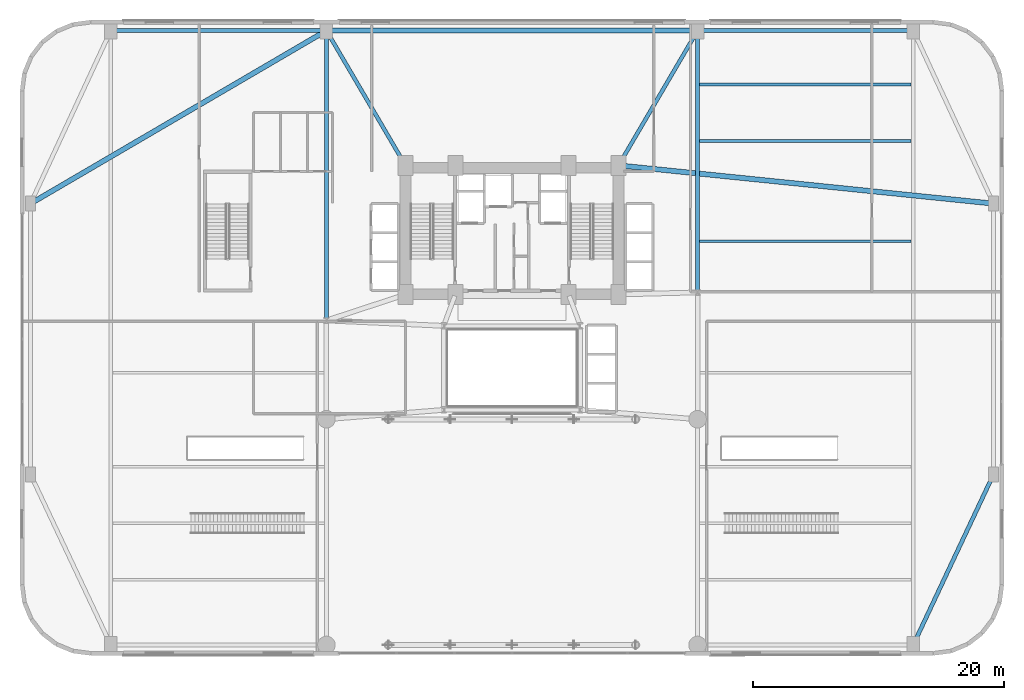
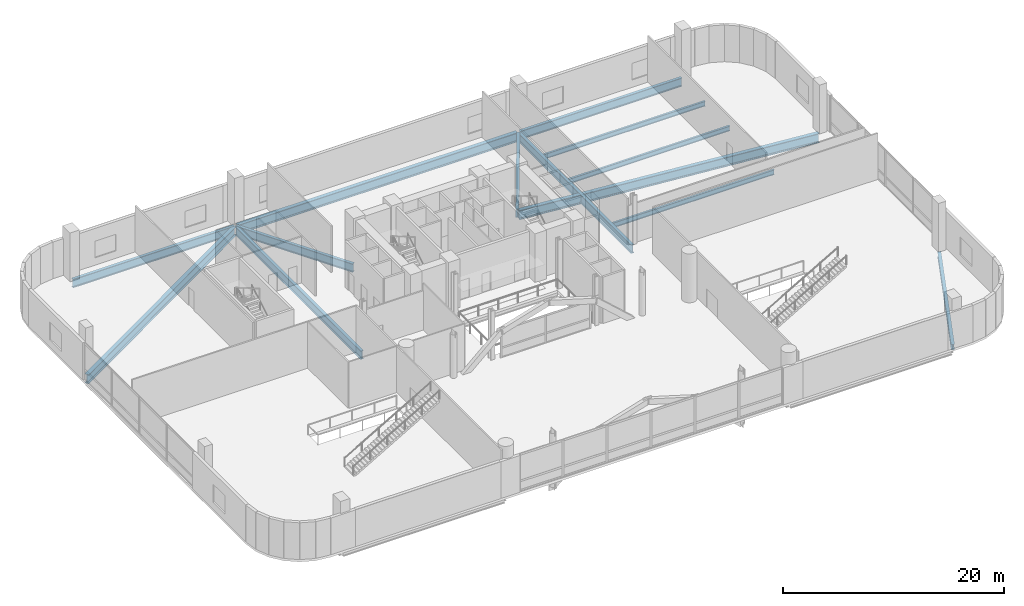
# One storey, part 18 of 36: 13 beams.
"""IFC4 building model written with IfcOpenShell, lengths in metres."""

from ifc_helpers import new_model, si_unit, direction, frame, origin, origin_2d, place, context, subcontext, project, spatial, i_section, extrude, material, material_profile, profile_set, type_object, element, save


model = new_model("IFC4")

# Units and contexts
model_context = context("Model", 3, precision=1e-05, world=origin(), true_north=direction((0.0, 1.0)))
body_context = subcontext(model_context, "Body", "Model", "MODEL_VIEW")
ifc_project = project(units=[si_unit("LENGTHUNIT", "METRE"), si_unit("AREAUNIT", "SQUARE_METRE"), si_unit("VOLUMEUNIT", "CUBIC_METRE"), si_unit("PLANEANGLEUNIT", "RADIAN"), si_unit("MASSUNIT", "GRAM", prefix="KILO")], contexts=[model_context])

# Site, building, storey
site_placement = place(None, origin())
site = spatial("IfcSite", under=ifc_project, at=site_placement, CompositionType="ELEMENT")
building_placement = place(site_placement, origin())
building = spatial("IfcBuilding", under=site, at=building_placement, Name="Varnelok Gate Tower", CompositionType="ELEMENT")
storey_placement = place(building_placement, frame((0.0, 0.0, 10.800048828125)))
storey = spatial("IfcBuildingStorey", under=building, at=storey_placement, Name="L02", CompositionType="ELEMENT", Elevation=10.800048828125)

# Beams
ifc_material = material(Name="Structural Steel ASTM A992 Grade 50", Category="steel")
ifc_material_profile_1 = material_profile(ifc_material, i_section(OverallWidth=0.2119140625, OverallDepth=0.5439453125, WebThickness=0.01318359375, FlangeThickness=0.021240234375, FilletRadius=0.01611328125, at=origin_2d()), Name="W21X83")
ifc_profile_set_1 = profile_set([ifc_material_profile_1], Name="Structural Steel ASTM A992 Grade 50")
beam_type_1 = type_object("IfcBeamType", Name="BM-JST-W21X83", PredefinedType="JOIST", material=ifc_profile_set_1)
for number, where, z_axis, x_axis, name in (
    (1, (54.159912109375, 33.0, -0.552001953125), (1.0, 0.0, 0.0), (0.0, 1.0, 0.0), "L02 Podium Floor Joist"),
    (2, (54.159912109375, 41.0, -0.552001953125), (1.0, 0.0, 0.0), (0.0, 1.0, 0.0), "L02 Podium Floor Joist"),
    (3, (54.159912109375, 45.5, -0.552001953125), (1.0, 0.0, 0.0), (0.0, 1.0, 0.0), "L02 Podium Floor Joist"),
):
    element("IfcBeam", number, at=place(storey_placement, frame(where, z_axis=z_axis, x_axis=x_axis)), inside=storey, type_object=beam_type_1, Name=name, PredefinedType="JOIST", context=body_context, shape_type="SweptSolid", body=[
        extrude(i_section(OverallWidth=0.2119140625, OverallDepth=0.5439453125, WebThickness=0.01318359375, FlangeThickness=0.021240234375, FilletRadius=0.01611328125, at=origin_2d()), origin(), (0.0, 0.0, 1.0), 16.880126953125),
    ])
ifc_material_profile_2 = material_profile(ifc_material, i_section(OverallWidth=0.30810546875, OverallDepth=0.943115234375, WebThickness=0.022216796875, FlangeThickness=0.039794921875, FilletRadius=0.02587890625, at=origin_2d()), Name="W36X232")
ifc_profile_set_2 = profile_set([ifc_material_profile_2], Name="Structural Steel ASTM A992 Grade 50")
beam_type_2 = type_object("IfcBeamType", Name="BM-PRI-W36X232", PredefinedType="BEAM", material=ifc_profile_set_2)
beam_1_placement = place(storey_placement, frame((7.340087890625, 49.800048828125, -0.75146484375), z_axis=(1.0, 0.0, 0.0), x_axis=(0.0, 1.0, 0.0)))
element("IfcBeam", 4, at=beam_1_placement, inside=storey, type_object=beam_type_2, Name="L02 Podium Primary Girder 3", PredefinedType="BEAM", context=body_context, shape_type="SweptSolid", body=[
    extrude(i_section(OverallWidth=0.30810546875, OverallDepth=0.943115234375, WebThickness=0.022216796875, FlangeThickness=0.039794921875, FilletRadius=0.02587890625, at=origin_2d()), origin(), (0.0, 0.0, 1.0), 16.919921875),
])
beam_2_placement = place(storey_placement, frame((54.139892578125, 49.800048828125, -0.75146484375), z_axis=(1.0, 0.0, 0.0), x_axis=(0.0, 1.0, 0.0)))
element("IfcBeam", 5, at=beam_2_placement, inside=storey, type_object=beam_type_2, Name="L02 Podium Primary Girder 5", PredefinedType="BEAM", context=body_context, shape_type="SweptSolid", body=[
    extrude(i_section(OverallWidth=0.30810546875, OverallDepth=0.943115234375, WebThickness=0.022216796875, FlangeThickness=0.039794921875, FilletRadius=0.02587890625, at=origin_2d()), origin(), (0.0, 0.0, 1.0), 16.920166015625),
])
for number, where, z_axis, x_axis, name in (
    (6, (24.470703125, 49.67919921875, -0.75146484375), (0.505622271853, -0.862754958378, 0.0), (0.862754958378, 0.505622271853, 0.0), "L02 Podium Primary Girder 20"),
    (7, (53.92919921875, 49.67919921875, -0.75146484375), (-0.505622271853, -0.862754958378, 0.0), (0.862754958378, -0.505622271853, 0.0), "L02 Podium Primary Girder 21"),
):
    element("IfcBeam", number, at=place(storey_placement, frame(where, z_axis=z_axis, x_axis=x_axis)), inside=storey, type_object=beam_type_2, Name=name, PredefinedType="BEAM", context=body_context, shape_type="SweptSolid", body=[
        extrude(i_section(OverallWidth=0.30810546875, OverallDepth=0.943115234375, WebThickness=0.022216796875, FlangeThickness=0.039794921875, FilletRadius=0.02587890625, at=origin_2d()), origin(), (0.0, 0.0, 1.0), 12.179931640625),
    ])
beam_3_placement = place(storey_placement, frame((24.39990234375, 26.820068359375, -0.75146484375), z_axis=(0.0, 1.0, 0.0), x_axis=(-1.0, 0.0, 0.0)))
element("IfcBeam", 8, at=beam_3_placement, inside=storey, type_object=beam_type_2, Name="L02 Podium Primary Girder 22", PredefinedType="BEAM", context=body_context, shape_type="SweptSolid", body=[
    extrude(i_section(OverallWidth=0.30810546875, OverallDepth=0.943115234375, WebThickness=0.022216796875, FlangeThickness=0.039794921875, FilletRadius=0.02587890625, at=origin_2d()), origin(), (0.0, 0.0, 1.0), 22.83984375),
])
beam_4_placement = place(storey_placement, frame((54.0, 29.06005859375, -0.75146484375), z_axis=(0.0, 1.0, 0.0), x_axis=(-1.0, 0.0, 0.0)))
element("IfcBeam", 9, at=beam_4_placement, inside=storey, type_object=beam_type_2, Name="L02 Podium Primary Girder 23", PredefinedType="BEAM", context=body_context, shape_type="SweptSolid", body=[
    extrude(i_section(OverallWidth=0.30810546875, OverallDepth=0.943115234375, WebThickness=0.022216796875, FlangeThickness=0.039794921875, FilletRadius=0.02587890625, at=origin_2d()), origin(), (0.0, 0.0, 1.0), 20.599853515625),
])
ifc_material_profile_3 = material_profile(ifc_material, i_section(OverallWidth=0.323974609375, OverallDepth=0.611083984375, WebThickness=0.0126953125, FlangeThickness=0.01904296875, FilletRadius=0.01806640625, at=origin_2d()), Name="W24X104")
ifc_profile_set_3 = profile_set([ifc_material_profile_3], Name="Structural Steel ASTM A992 Grade 50")
beam_type_3 = type_object("IfcBeamType", Name="BM-SPN-W24X104", PredefinedType="SPANDREL", material=ifc_profile_set_3)
beam_5_placement = place(storey_placement, frame((71.259521484375, 0.9267578125, -0.58544921875), z_axis=(0.425801818887, 0.90481645157, 0.0), x_axis=(-0.90481645157, 0.425801818887, 0.0)))
element("IfcBeam", 10, at=beam_5_placement, inside=storey, type_object=beam_type_3, Name="L02 Podium Primary Girder 10", PredefinedType="SPANDREL", context=body_context, shape_type="SweptSolid", body=[
    extrude(i_section(OverallWidth=0.323974609375, OverallDepth=0.611083984375, WebThickness=0.0126953125, FlangeThickness=0.01904296875, FilletRadius=0.01806640625, at=origin_2d()), origin(), (0.0, 0.0, 1.0), 14.75048828125),
])
ifc_material_profile_4 = material_profile(ifc_material, i_section(OverallWidth=0.404052734375, OverallDepth=1.02001953125, WebThickness=0.025390625, FlangeThickness=0.0458984375, FilletRadius=0.030029296875, at=origin_2d()), Name="W40X324")
ifc_profile_set_4 = profile_set([ifc_material_profile_4], Name="Structural Steel ASTM A992 Grade 50")
beam_type_4 = type_object("IfcBeamType", Name="BM-SPR-W40X324", PredefinedType="BEAM", material=ifc_profile_set_4)
beam_6_placement = place(storey_placement, frame((24.5400390625, 49.800048828125, -0.7900390625), z_axis=(1.0, 0.0, 0.0), x_axis=(0.0, 1.0, 0.0)))
element("IfcBeam", 11, at=beam_6_placement, inside=storey, type_object=beam_type_4, Name="L02 Podium Primary Girder 4", PredefinedType="BEAM", context=body_context, shape_type="SweptSolid", body=[
    extrude(i_section(OverallWidth=0.404052734375, OverallDepth=1.02001953125, WebThickness=0.025390625, FlangeThickness=0.0458984375, FilletRadius=0.030029296875, at=origin_2d()), origin(), (0.0, 0.0, 1.0), 29.320068359375),
])
beam_7_placement = place(storey_placement, frame((0.9208984375, 36.07080078125, -0.7900390625), z_axis=(0.863249918026, 0.504776761578, 0.0), x_axis=(-0.504776761578, 0.863249918026, 0.0)))
element("IfcBeam", 12, at=beam_7_placement, inside=storey, type_object=beam_type_4, Name="L02 Podium Primary Girder 18", PredefinedType="BEAM", context=body_context, shape_type="SweptSolid", body=[
    extrude(i_section(OverallWidth=0.404052734375, OverallDepth=1.02001953125, WebThickness=0.025390625, FlangeThickness=0.0458984375, FilletRadius=0.030029296875, at=origin_2d()), origin(), (0.0, 0.0, 1.0), 27.058349609375),
])
beam_8_placement = place(storey_placement, frame((47.83935546875, 39.035888671875, -0.7900390625), z_axis=(0.994837048788, -0.101485202654, 0.0), x_axis=(0.101485202654, 0.994837048788, 0.0)))
element("IfcBeam", 13, at=beam_8_placement, inside=storey, type_object=beam_type_4, Name="L02 Podium Primary Girder 19", PredefinedType="BEAM", context=body_context, shape_type="SweptSolid", body=[
    extrude(i_section(OverallWidth=0.404052734375, OverallDepth=1.02001953125, WebThickness=0.025390625, FlangeThickness=0.0458984375, FilletRadius=0.030029296875, at=origin_2d()), origin(), (0.0, 0.0, 1.0), 29.775146484375),
])

save(model, "model.ifc")
